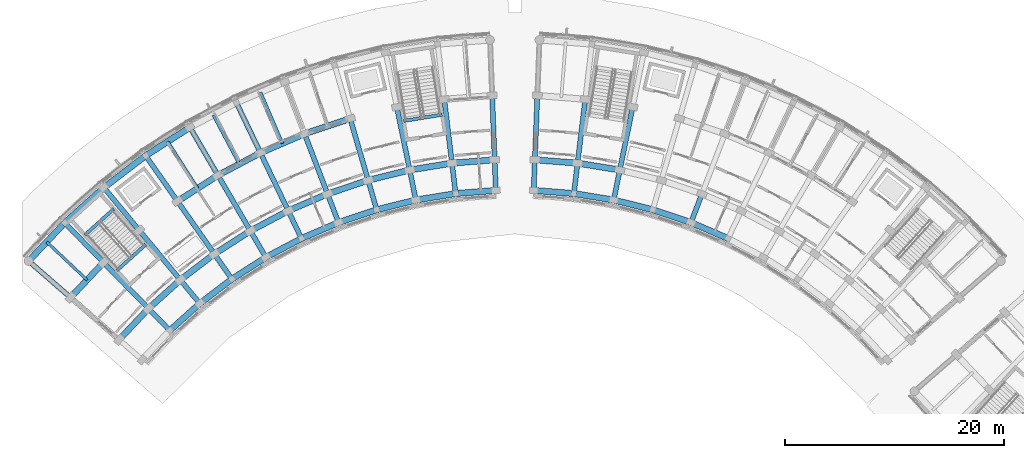
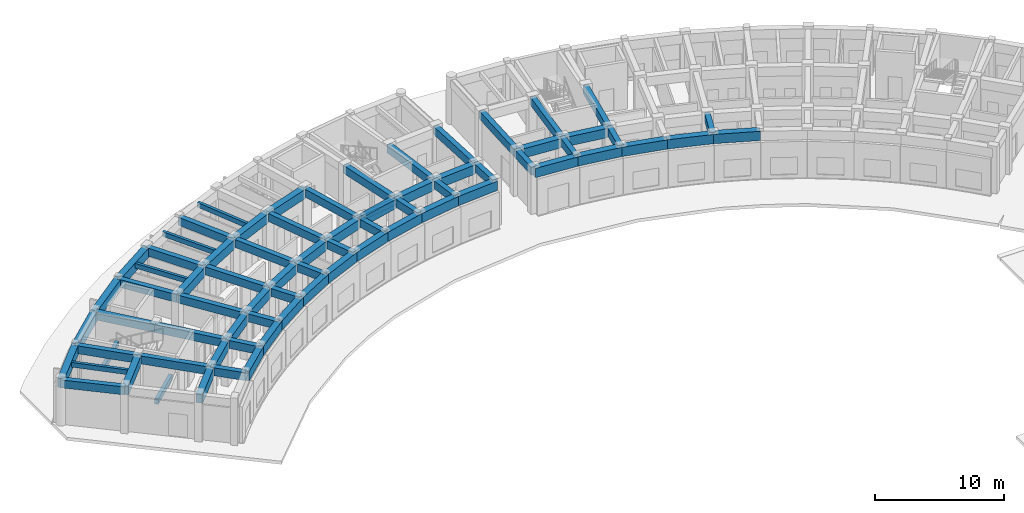
# One storey, part 16 of 61: 75 beams.
"""IFC4 building model written with IfcOpenShell, lengths in metres."""

from ifc_helpers import new_model, si_unit, direction, frame, origin, origin_2d, place, context, subcontext, project, spatial, rectangle, extrude, material, material_profile, profile_set, type_object, element, save


model = new_model("IFC4")

# Units and contexts
model_context = context("Model", 3, precision=1e-05, world=origin(), true_north=direction((0.0, 1.0)))
body_context = subcontext(model_context, "Body", "Model", "MODEL_VIEW")
ifc_project = project(units=[si_unit("LENGTHUNIT", "METRE"), si_unit("AREAUNIT", "SQUARE_METRE"), si_unit("VOLUMEUNIT", "CUBIC_METRE"), si_unit("PLANEANGLEUNIT", "RADIAN"), si_unit("MASSUNIT", "GRAM", prefix="KILO")], contexts=[model_context])

# Site, building, storey
site_placement = place(None, origin())
site = spatial("IfcSite", under=ifc_project, at=site_placement, CompositionType="ELEMENT")
building_placement = place(site_placement, origin())
building = spatial("IfcBuilding", under=site, at=building_placement, Name="Zimvara Arc Housing Community", CompositionType="ELEMENT")
storey_placement = place(building_placement, origin())
storey = spatial("IfcBuildingStorey", under=building, at=storey_placement, Name="L00", CompositionType="ELEMENT", Elevation=0.0)

# Beams
ifc_material_1 = material(Name="Concrete C40/50", Category="concrete")
ifc_material_profile_1 = material_profile(ifc_material_1, rectangle(XDim=0.25, YDim=0.449951171875, at=origin_2d()), Name="RC 250x450")
ifc_profile_set_1 = profile_set([ifc_material_profile_1], Name="Concrete C40/50")
beam_type_1 = type_object("IfcBeamType", Name="BM-RC-250x450", PredefinedType="JOIST", material=ifc_profile_set_1)
beam_1_placement = place(storey_placement, frame((5.904296875, 81.3935546875, 4.034912109375), z_axis=(-0.727299876429, 0.686319815936, 0.0), x_axis=(-0.686319815936, -0.727299876429, 0.0)))
element("IfcBeam", 1, at=beam_1_placement, inside=storey, type_object=beam_type_1, Name="bm:blkA:L00:joist:b0", PredefinedType="JOIST", context=body_context, shape_type="SweptSolid", body=[
    extrude(rectangle(XDim=0.25, YDim=0.449951171875, at=origin_2d()), origin(), (0.0, 0.0, 1.0), 5.075927734375),
])
for number, where, z_axis, x_axis, name in (
    (2, (16.0224609375, 89.776123046875, 4.034912109375), (-0.539052331508, 0.842272274206, 0.0), (-0.842272274206, -0.539052331508, 0.0), "bm:blkA:L00:joist:b3"),
    (3, (19.813232421875, 91.9892578125, 4.034912109375), (-0.46853732736, 0.883443701019, 0.0), (-0.883443701019, -0.46853732736, 0.0), "bm:blkA:L00:joist:b4"),
):
    element("IfcBeam", number, at=place(storey_placement, frame(where, z_axis=z_axis, x_axis=x_axis)), inside=storey, type_object=beam_type_1, Name=name, PredefinedType="JOIST", context=body_context, shape_type="SweptSolid", body=[
        extrude(rectangle(XDim=0.25, YDim=0.449951171875, at=origin_2d()), origin(), (0.0, 0.0, 1.0), 5.07568359375),
    ])
beam_2_placement = place(storey_placement, frame((23.77197265625, 93.885986328125, 4.034912109375), z_axis=(-0.394929109608, 0.918711596958, 0.0), x_axis=(-0.918711596958, -0.394929109608, 0.0)))
element("IfcBeam", 4, at=beam_2_placement, inside=storey, type_object=beam_type_1, Name="bm:blkA:L00:joist:b5", PredefinedType="JOIST", context=body_context, shape_type="SweptSolid", body=[
    extrude(rectangle(XDim=0.25, YDim=0.449951171875, at=origin_2d()), origin(), (0.0, 0.0, 1.0), 5.075927734375),
])
ifc_material_2 = material(Name="Concrete C40/50", Category="concrete")
ifc_material_profile_2 = material_profile(ifc_material_2, rectangle(XDim=0.300048828125, YDim=0.5, at=origin_2d()), Name="RC 300x500")
ifc_profile_set_2 = profile_set([ifc_material_profile_2], Name="Concrete C40/50")
beam_type_2 = type_object("IfcBeamType", Name="BM-RC-300x500", PredefinedType="BEAM", material=ifc_profile_set_2)
for number, where, z_axis, x_axis, name in (
    (5, (11.278076171875, 84.64697265625, -0.25), (-0.743362151162, -0.668889162881, 0.0), (0.668889162881, -0.743362151162, 0.0), "bm:stair_trim:ST-A1:L00:near"),
    (6, (8.3564453125, 87.89404296875, 2.0), (-0.743362151162, -0.668889162881, 0.0), (0.668889162881, -0.743362151162, 0.0), "bm:stair_trim:ST-A1:L00:mid"),
    (7, (38.3662109375, 96.509033203125, -0.25), (-0.987080057935, -0.160227835371, 0.0), (0.160227835371, -0.987080057935, 0.0), "bm:stair_trim:ST-A2:L00:near"),
):
    element("IfcBeam", number, at=place(storey_placement, frame(where, z_axis=z_axis, x_axis=x_axis)), inside=storey, type_object=beam_type_2, Name=name, PredefinedType="BEAM", context=body_context, shape_type="SweptSolid", body=[
        extrude(rectangle(XDim=0.300048828125, YDim=0.5, at=origin_2d()), origin(), (0.0, 0.0, 1.0), 3.570068359375),
    ])
ifc_material_3 = material(Name="Concrete C40/50", Category="concrete")
ifc_material_profile_3 = material_profile(ifc_material_3, rectangle(XDim=0.449951171875, YDim=0.75, at=origin_2d()), Name="RC 450x750")
ifc_profile_set_3 = profile_set([ifc_material_profile_3], Name="Concrete C40/50")
beam_type_3 = type_object("IfcBeamType", Name="BM-RC-450x750", PredefinedType="BEAM", material=ifc_profile_set_3)
beam_3_placement = place(storey_placement, frame((4.396728515625, 79.7958984375, 3.885009765625), z_axis=(-0.754716217499, 0.656051393599, 0.0), x_axis=(-0.656051393599, -0.754716217499, 0.0)))
element("IfcBeam", 8, at=beam_3_placement, inside=storey, type_object=beam_type_3, Name="bm:blkA:L00:rad:b0:r23", PredefinedType="BEAM", context=body_context, shape_type="SweptSolid", body=[
    extrude(rectangle(XDim=0.449951171875, YDim=0.75, at=origin_2d()), origin(), (0.0, 0.0, 1.0), 5.080078125),
])
beam_4_placement = place(storey_placement, frame((13.476318359375, 76.781005859375, 3.885009765625), z_axis=(-0.698643013894, 0.71547043205, 0.0), x_axis=(-0.71547043205, -0.698643013894, 0.0)))
element("IfcBeam", 9, at=beam_4_placement, inside=storey, type_object=beam_type_3, Name="bm:blkA:L00:rad:b1:r01", PredefinedType="BEAM", context=body_context, shape_type="SweptSolid", body=[
    extrude(rectangle(XDim=0.449951171875, YDim=0.75, at=origin_2d()), origin(), (0.0, 0.0, 1.0), 2.800048828125),
])
beam_5_placement = place(storey_placement, frame((11.52001953125, 78.784423828125, 3.885009765625), z_axis=(-0.698669844288, 0.715444231707, 0.0), x_axis=(-0.715444231707, -0.698669844288, 0.0)))
element("IfcBeam", 10, at=beam_5_placement, inside=storey, type_object=beam_type_3, Name="bm:blkA:L00:rad:b1:r12", PredefinedType="BEAM", context=body_context, shape_type="SweptSolid", body=[
    extrude(rectangle(XDim=0.449951171875, YDim=0.75, at=origin_2d()), origin(), (0.0, 0.0, 1.0), 5.8798828125),
])
beam_6_placement = place(storey_placement, frame((7.411865234375, 82.9912109375, 3.885009765625), z_axis=(-0.698670885014, 0.71544321538, 0.0), x_axis=(-0.71544321538, -0.698670885014, 0.0)))
element("IfcBeam", 11, at=beam_6_placement, inside=storey, type_object=beam_type_3, Name="bm:blkA:L00:rad:b1:r23", PredefinedType="BEAM", context=body_context, shape_type="SweptSolid", body=[
    extrude(rectangle(XDim=0.449951171875, YDim=0.75, at=origin_2d()), origin(), (0.0, 0.0, 1.0), 5.080078125),
])
beam_7_placement = place(storey_placement, frame((16.215087890625, 79.245361328125, 3.885009765625), z_axis=(-0.637917412223, 0.770104781951, 0.0), x_axis=(-0.770104781951, -0.637917412223, 0.0)))
element("IfcBeam", 12, at=beam_7_placement, inside=storey, type_object=beam_type_3, Name="bm:blkA:L00:rad:b2:r01", PredefinedType="BEAM", context=body_context, shape_type="SweptSolid", body=[
    extrude(rectangle(XDim=0.449951171875, YDim=0.75, at=origin_2d()), origin(), (0.0, 0.0, 1.0), 2.800048828125),
])
beam_8_placement = place(storey_placement, frame((14.428955078125, 81.401611328125, 3.885009765625), z_axis=(-0.637955964415, 0.770072845559, 0.0), x_axis=(-0.770072845559, -0.637955964415, 0.0)))
element("IfcBeam", 13, at=beam_8_placement, inside=storey, type_object=beam_type_3, Name="bm:blkA:L00:rad:b2:r12", PredefinedType="BEAM", context=body_context, shape_type="SweptSolid", body=[
    extrude(rectangle(XDim=0.449951171875, YDim=0.75, at=origin_2d()), origin(), (0.0, 0.0, 1.0), 5.880126953125),
])
beam_9_placement = place(storey_placement, frame((10.677734375, 85.9296875, 3.885009765625), z_axis=(-0.637983669165, 0.77004989311, 0.0), x_axis=(-0.77004989311, -0.637983669165, 0.0)))
element("IfcBeam", 14, at=beam_9_placement, inside=storey, type_object=beam_type_3, Name="bm:blkA:L00:rad:b2:r23", PredefinedType="BEAM", context=body_context, shape_type="SweptSolid", body=[
    extrude(rectangle(XDim=0.449951171875, YDim=0.75, at=origin_2d()), origin(), (0.0, 0.0, 1.0), 5.080078125),
])
beam_10_placement = place(storey_placement, frame((19.14599609375, 81.478271484375, 3.885009765625), z_axis=(-0.57297651105, 0.819571789281, 0.0), x_axis=(-0.819571789281, -0.57297651105, 0.0)))
element("IfcBeam", 15, at=beam_10_placement, inside=storey, type_object=beam_type_3, Name="bm:blkA:L00:rad:b3:r01", PredefinedType="BEAM", context=body_context, shape_type="SweptSolid", body=[
    extrude(rectangle(XDim=0.449951171875, YDim=0.75, at=origin_2d()), origin(), (0.0, 0.0, 1.0), 2.7998046875),
])
beam_11_placement = place(storey_placement, frame((17.541748046875, 83.77294921875, 3.885009765625), z_axis=(-0.573027549978, 0.819536104736, 0.0), x_axis=(-0.819536104736, -0.573027549978, 0.0)))
element("IfcBeam", 16, at=beam_11_placement, inside=storey, type_object=beam_type_3, Name="bm:blkA:L00:rad:b3:r12", PredefinedType="BEAM", context=body_context, shape_type="SweptSolid", body=[
    extrude(rectangle(XDim=0.449951171875, YDim=0.75, at=origin_2d()), origin(), (0.0, 0.0, 1.0), 5.8798828125),
])
beam_12_placement = place(storey_placement, frame((14.17236328125, 88.591796875, 3.885009765625), z_axis=(-0.573007469479, 0.819550144848, 0.0), x_axis=(-0.819550144848, -0.573007469479, 0.0)))
element("IfcBeam", 17, at=beam_12_placement, inside=storey, type_object=beam_type_3, Name="bm:blkA:L00:rad:b3:r23", PredefinedType="BEAM", context=body_context, shape_type="SweptSolid", body=[
    extrude(rectangle(XDim=0.449951171875, YDim=0.75, at=origin_2d()), origin(), (0.0, 0.0, 1.0), 5.080078125),
])
beam_13_placement = place(storey_placement, frame((22.249267578125, 83.46435546875, 3.885009765625), z_axis=(-0.504239631668, 0.86356377521, 0.0), x_axis=(-0.86356377521, -0.504239631668, 0.0)))
element("IfcBeam", 18, at=beam_13_placement, inside=storey, type_object=beam_type_3, Name="bm:blkA:L00:rad:b4:r01", PredefinedType="BEAM", context=body_context, shape_type="SweptSolid", body=[
    extrude(rectangle(XDim=0.449951171875, YDim=0.75, at=origin_2d()), origin(), (0.0, 0.0, 1.0), 2.800048828125),
])
beam_14_placement = place(storey_placement, frame((20.83740234375, 85.88232421875, 3.885009765625), z_axis=(-0.504219494781, 0.863575532934, 0.0), x_axis=(-0.863575532934, -0.504219494781, 0.0)))
element("IfcBeam", 19, at=beam_14_placement, inside=storey, type_object=beam_type_3, Name="bm:blkA:L00:rad:b4:r12", PredefinedType="BEAM", context=body_context, shape_type="SweptSolid", body=[
    extrude(rectangle(XDim=0.449951171875, YDim=0.75, at=origin_2d()), origin(), (0.0, 0.0, 1.0), 5.880126953125),
])
beam_15_placement = place(storey_placement, frame((17.87255859375, 90.960205078125, 3.885009765625), z_axis=(-0.504196701544, 0.863588840915, 0.0), x_axis=(-0.863588840915, -0.504196701544, 0.0)))
element("IfcBeam", 20, at=beam_15_placement, inside=storey, type_object=beam_type_3, Name="bm:blkA:L00:rad:b4:r23", PredefinedType="BEAM", context=body_context, shape_type="SweptSolid", body=[
    extrude(rectangle(XDim=0.449951171875, YDim=0.75, at=origin_2d()), origin(), (0.0, 0.0, 1.0), 5.079833984375),
])
beam_16_placement = place(storey_placement, frame((25.50439453125, 85.190673828125, 3.885009765625), z_axis=(-0.432118703138, 0.901816736593, 0.0), x_axis=(-0.901816736593, -0.432118703138, 0.0)))
element("IfcBeam", 21, at=beam_16_placement, inside=storey, type_object=beam_type_3, Name="bm:blkA:L00:rad:b5:r01", PredefinedType="BEAM", context=body_context, shape_type="SweptSolid", body=[
    extrude(rectangle(XDim=0.449951171875, YDim=0.75, at=origin_2d()), origin(), (0.0, 0.0, 1.0), 2.800048828125),
])
beam_17_placement = place(storey_placement, frame((24.29443359375, 87.7158203125, 3.885009765625), z_axis=(-0.432069527705, 0.901840298073, 0.0), x_axis=(-0.901840298073, -0.432069527705, 0.0)))
element("IfcBeam", 22, at=beam_17_placement, inside=storey, type_object=beam_type_3, Name="bm:blkA:L00:rad:b5:r12", PredefinedType="BEAM", context=body_context, shape_type="SweptSolid", body=[
    extrude(rectangle(XDim=0.449951171875, YDim=0.75, at=origin_2d()), origin(), (0.0, 0.0, 1.0), 5.8798828125),
])
beam_18_placement = place(storey_placement, frame((21.75390625, 93.0185546875, 3.885009765625), z_axis=(-0.432098194978, 0.901826563091, 0.0), x_axis=(-0.901826563091, -0.432098194978, 0.0)))
element("IfcBeam", 23, at=beam_18_placement, inside=storey, type_object=beam_type_3, Name="bm:blkA:L00:rad:b5:r23", PredefinedType="BEAM", context=body_context, shape_type="SweptSolid", body=[
    extrude(rectangle(XDim=0.449951171875, YDim=0.75, at=origin_2d()), origin(), (0.0, 0.0, 1.0), 5.080078125),
])
beam_19_placement = place(storey_placement, frame((28.88916015625, 86.645751953125, 3.885009765625), z_axis=(-0.357079289134, 0.934074076972, 0.0), x_axis=(-0.934074076972, -0.357079289134, 0.0)))
element("IfcBeam", 24, at=beam_19_placement, inside=storey, type_object=beam_type_3, Name="bm:blkA:L00:rad:b6:r01", PredefinedType="BEAM", context=body_context, shape_type="SweptSolid", body=[
    extrude(rectangle(XDim=0.449951171875, YDim=0.75, at=origin_2d()), origin(), (0.0, 0.0, 1.0), 2.7998046875),
])
beam_20_placement = place(storey_placement, frame((27.889404296875, 89.260986328125, 3.885009765625), z_axis=(-0.357036247742, 0.934090529766, 0.0), x_axis=(-0.934090529766, -0.357036247742, 0.0)))
element("IfcBeam", 25, at=beam_20_placement, inside=storey, type_object=beam_type_3, Name="bm:blkA:L00:rad:b6:r12", PredefinedType="BEAM", context=body_context, shape_type="SweptSolid", body=[
    extrude(rectangle(XDim=0.449951171875, YDim=0.75, at=origin_2d()), origin(), (0.0, 0.0, 1.0), 5.8798828125),
])
beam_21_placement = place(storey_placement, frame((32.381591796875, 87.819580078125, 3.885009765625), z_axis=(-0.279635015525, 0.960106378529, 0.0), x_axis=(-0.960106378529, -0.279635015525, 0.0)))
element("IfcBeam", 26, at=beam_21_placement, inside=storey, type_object=beam_type_3, Name="bm:blkA:L00:rad:b7:r01", PredefinedType="BEAM", context=body_context, shape_type="SweptSolid", body=[
    extrude(rectangle(XDim=0.449951171875, YDim=0.75, at=origin_2d()), origin(), (0.0, 0.0, 1.0), 2.800048828125),
])
beam_22_placement = place(storey_placement, frame((31.5986328125, 90.5078125, 3.885009765625), z_axis=(-0.27967473749, 0.960094808449, 0.0), x_axis=(-0.960094808449, -0.27967473749, 0.0)))
element("IfcBeam", 27, at=beam_22_placement, inside=storey, type_object=beam_type_3, Name="bm:blkA:L00:rad:b7:r12", PredefinedType="BEAM", context=body_context, shape_type="SweptSolid", body=[
    extrude(rectangle(XDim=0.449951171875, YDim=0.75, at=origin_2d()), origin(), (0.0, 0.0, 1.0), 5.880126953125),
])
beam_23_placement = place(storey_placement, frame((35.958251953125, 88.704833984375, 3.885009765625), z_axis=(-0.20037341071, 0.979719600845, 0.0), x_axis=(-0.979719600845, -0.20037341071, 0.0)))
element("IfcBeam", 28, at=beam_23_placement, inside=storey, type_object=beam_type_3, Name="bm:blkA:L00:rad:b8:r01", PredefinedType="BEAM", context=body_context, shape_type="SweptSolid", body=[
    extrude(rectangle(XDim=0.449951171875, YDim=0.75, at=origin_2d()), origin(), (0.0, 0.0, 1.0), 2.800048828125),
])
beam_24_placement = place(storey_placement, frame((35.397216796875, 91.447998046875, 3.885009765625), z_axis=(-0.200417973989, 0.979710485655, 0.0), x_axis=(-0.979710485655, -0.200417973989, 0.0)))
element("IfcBeam", 29, at=beam_24_placement, inside=storey, type_object=beam_type_3, Name="bm:blkA:L00:rad:b8:r12", PredefinedType="BEAM", context=body_context, shape_type="SweptSolid", body=[
    extrude(rectangle(XDim=0.449951171875, YDim=0.75, at=origin_2d()), origin(), (0.0, 0.0, 1.0), 5.880126953125),
])
beam_25_placement = place(storey_placement, frame((39.594970703125, 89.295166015625, 3.885009765625), z_axis=(-0.119719398078, 0.992807768767, 0.0), x_axis=(-0.992807768767, -0.119719398078, 0.0)))
element("IfcBeam", 30, at=beam_25_placement, inside=storey, type_object=beam_type_3, Name="bm:blkA:L00:rad:b9:r01", PredefinedType="BEAM", context=body_context, shape_type="SweptSolid", body=[
    extrude(rectangle(XDim=0.449951171875, YDim=0.75, at=origin_2d()), origin(), (0.0, 0.0, 1.0), 2.7998046875),
])
beam_26_placement = place(storey_placement, frame((39.259765625, 92.074951171875, 3.885009765625), z_axis=(-0.119827921695, 0.992794676246, 0.0), x_axis=(-0.992794676246, -0.119827921695, 0.0)))
element("IfcBeam", 31, at=beam_26_placement, inside=storey, type_object=beam_type_3, Name="bm:blkA:L00:rad:b9:r12", PredefinedType="BEAM", context=body_context, shape_type="SweptSolid", body=[
    extrude(rectangle(XDim=0.449951171875, YDim=0.75, at=origin_2d()), origin(), (0.0, 0.0, 1.0), 5.880126953125),
])
beam_27_placement = place(storey_placement, frame((43.267822265625, 89.586669921875, 3.885009765625), z_axis=(-0.038362804793, 0.999263876665, 0.0), x_axis=(-0.999263876665, -0.038362804793, 0.0)))
element("IfcBeam", 32, at=beam_27_placement, inside=storey, type_object=beam_type_3, Name="bm:blkA:L00:rad:b10:r01", PredefinedType="BEAM", context=body_context, shape_type="SweptSolid", body=[
    extrude(rectangle(XDim=0.449951171875, YDim=0.75, at=origin_2d()), origin(), (0.0, 0.0, 1.0), 2.800048828125),
])
beam_28_placement = place(storey_placement, frame((43.160400390625, 92.384765625, 3.885009765625), z_axis=(-0.038366147405, 0.999263748333, 0.0), x_axis=(-0.999263748333, -0.038366147405, 0.0)))
element("IfcBeam", 33, at=beam_28_placement, inside=storey, type_object=beam_type_3, Name="bm:blkA:L00:rad:b10:r12", PredefinedType="BEAM", context=body_context, shape_type="SweptSolid", body=[
    extrude(rectangle(XDim=0.449951171875, YDim=0.75, at=origin_2d()), origin(), (0.0, 0.0, 1.0), 5.8798828125),
])
beam_29_placement = place(storey_placement, frame((46.732177734375, 89.586669921875, 3.885009765625), z_axis=(0.038362804793, 0.999263876665, 0.0), x_axis=(-0.999263876665, 0.038362804793, 0.0)))
element("IfcBeam", 34, at=beam_29_placement, inside=storey, type_object=beam_type_3, Name="bm:blkB:L00:rad:b0:r01", PredefinedType="BEAM", context=body_context, shape_type="SweptSolid", body=[
    extrude(rectangle(XDim=0.449951171875, YDim=0.75, at=origin_2d()), origin(), (0.0, 0.0, 1.0), 2.800048828125),
])
beam_30_placement = place(storey_placement, frame((46.839599609375, 92.384765625, 3.885009765625), z_axis=(0.038366147405, 0.999263748333, 0.0), x_axis=(-0.999263748333, 0.038366147405, 0.0)))
element("IfcBeam", 35, at=beam_30_placement, inside=storey, type_object=beam_type_3, Name="bm:blkB:L00:rad:b0:r12", PredefinedType="BEAM", context=body_context, shape_type="SweptSolid", body=[
    extrude(rectangle(XDim=0.449951171875, YDim=0.75, at=origin_2d()), origin(), (0.0, 0.0, 1.0), 5.8798828125),
])
beam_31_placement = place(storey_placement, frame((50.405029296875, 89.295166015625, 3.885009765625), z_axis=(0.119719398078, 0.992807768767, 0.0), x_axis=(-0.992807768767, 0.119719398078, 0.0)))
element("IfcBeam", 36, at=beam_31_placement, inside=storey, type_object=beam_type_3, Name="bm:blkB:L00:rad:b1:r01", PredefinedType="BEAM", context=body_context, shape_type="SweptSolid", body=[
    extrude(rectangle(XDim=0.449951171875, YDim=0.75, at=origin_2d()), origin(), (0.0, 0.0, 1.0), 2.7998046875),
])
beam_32_placement = place(storey_placement, frame((50.740234375, 92.074951171875, 3.885009765625), z_axis=(0.119827921695, 0.992794676246, 0.0), x_axis=(-0.992794676246, 0.119827921695, 0.0)))
element("IfcBeam", 37, at=beam_32_placement, inside=storey, type_object=beam_type_3, Name="bm:blkB:L00:rad:b1:r12", PredefinedType="BEAM", context=body_context, shape_type="SweptSolid", body=[
    extrude(rectangle(XDim=0.449951171875, YDim=0.75, at=origin_2d()), origin(), (0.0, 0.0, 1.0), 5.880126953125),
])
beam_33_placement = place(storey_placement, frame((54.041748046875, 88.704833984375, 3.885009765625), z_axis=(0.20037341071, 0.979719600845, 0.0), x_axis=(-0.979719600845, 0.20037341071, 0.0)))
element("IfcBeam", 38, at=beam_33_placement, inside=storey, type_object=beam_type_3, Name="bm:blkB:L00:rad:b2:r01", PredefinedType="BEAM", context=body_context, shape_type="SweptSolid", body=[
    extrude(rectangle(XDim=0.449951171875, YDim=0.75, at=origin_2d()), origin(), (0.0, 0.0, 1.0), 2.800048828125),
])
beam_34_placement = place(storey_placement, frame((54.602783203125, 91.447998046875, 3.885009765625), z_axis=(0.200417973989, 0.979710485655, 0.0), x_axis=(-0.979710485655, 0.200417973989, 0.0)))
element("IfcBeam", 39, at=beam_34_placement, inside=storey, type_object=beam_type_3, Name="bm:blkB:L00:rad:b2:r12", PredefinedType="BEAM", context=body_context, shape_type="SweptSolid", body=[
    extrude(rectangle(XDim=0.449951171875, YDim=0.75, at=origin_2d()), origin(), (0.0, 0.0, 1.0), 5.880126953125),
])
beam_35_placement = place(storey_placement, frame((61.11083984375, 86.645751953125, 3.885009765625), z_axis=(0.357079289134, 0.934074076972, 0.0), x_axis=(-0.934074076972, 0.357079289134, 0.0)))
element("IfcBeam", 40, at=beam_35_placement, inside=storey, type_object=beam_type_3, Name="bm:blkB:L00:rad:b4:r01", PredefinedType="BEAM", context=body_context, shape_type="SweptSolid", body=[
    extrude(rectangle(XDim=0.449951171875, YDim=0.75, at=origin_2d()), origin(), (0.0, 0.0, 1.0), 2.7998046875),
])
ifc_material_4 = material(Name="Concrete C40/50", Category="concrete")
ifc_material_profile_4 = material_profile(ifc_material_4, rectangle(XDim=0.56005859375, YDim=0.8798828125, at=origin_2d()), Name="RC 560x880")
ifc_profile_set_4 = profile_set([ifc_material_profile_4], Name="Concrete C40/50")
beam_type_4 = type_object("IfcBeamType", Name="BM-RC-560x880", PredefinedType="BEAM", material=ifc_profile_set_4)
beam_36_placement = place(storey_placement, frame((13.476318359375, 76.781005859375, 3.820068359375), z_axis=(0.743366631239, 0.668884183966, 0.0), x_axis=(-0.668884183966, 0.743366631239, 0.0)))
element("IfcBeam", 41, at=beam_36_placement, inside=storey, type_object=beam_type_4, Name="bm:blkA:L00:chord:r0:b1", PredefinedType="BEAM", context=body_context, shape_type="SweptSolid", body=[
    extrude(rectangle(XDim=0.56005859375, YDim=0.8798828125, at=origin_2d()), origin(), (0.0, 0.0, 1.0), 3.684326171875),
])
beam_37_placement = place(storey_placement, frame((16.215087890625, 79.245361328125, 3.820068359375), z_axis=(0.795453014049, 0.606015265847, 0.0), x_axis=(-0.606015265847, 0.795453014049, 0.0)))
element("IfcBeam", 42, at=beam_37_placement, inside=storey, type_object=beam_type_4, Name="bm:blkA:L00:chord:r0:b2", PredefinedType="BEAM", context=body_context, shape_type="SweptSolid", body=[
    extrude(rectangle(XDim=0.56005859375, YDim=0.8798828125, at=origin_2d()), origin(), (0.0, 0.0, 1.0), 3.6845703125),
])
beam_38_placement = place(storey_placement, frame((19.14599609375, 81.478271484375, 3.820068359375), z_axis=(0.842272604079, 0.539051816079, 0.0), x_axis=(-0.539051816079, 0.842272604079, 0.0)))
element("IfcBeam", 43, at=beam_38_placement, inside=storey, type_object=beam_type_4, Name="bm:blkA:L00:chord:r0:b3", PredefinedType="BEAM", context=body_context, shape_type="SweptSolid", body=[
    extrude(rectangle(XDim=0.56005859375, YDim=0.8798828125, at=origin_2d()), origin(), (0.0, 0.0, 1.0), 3.684326171875),
])
beam_39_placement = place(storey_placement, frame((22.249267578125, 83.46435546875, 3.820068359375), z_axis=(0.883449220086, 0.468526920815, 0.0), x_axis=(-0.468526920815, 0.883449220086, 0.0)))
element("IfcBeam", 44, at=beam_39_placement, inside=storey, type_object=beam_type_4, Name="bm:blkA:L00:chord:r0:b4", PredefinedType="BEAM", context=body_context, shape_type="SweptSolid", body=[
    extrude(rectangle(XDim=0.56005859375, YDim=0.8798828125, at=origin_2d()), origin(), (0.0, 0.0, 1.0), 3.6845703125),
])
for number, where, z_axis, x_axis, name in (
    (45, (25.50439453125, 85.190673828125, 3.820068359375), (0.918705736243, 0.394942742932, 0.0), (-0.394942742932, 0.918705736243, 0.0), "bm:blkA:L00:chord:r0:b5"),
    (46, (28.88916015625, 86.645751953125, 3.820068359375), (0.94789181932, 0.31859237101, 0.0), (-0.31859237101, 0.94789181932, 0.0), "bm:blkA:L00:chord:r0:b6"),
):
    element("IfcBeam", number, at=place(storey_placement, frame(where, z_axis=z_axis, x_axis=x_axis)), inside=storey, type_object=beam_type_4, Name=name, PredefinedType="BEAM", context=body_context, shape_type="SweptSolid", body=[
        extrude(rectangle(XDim=0.56005859375, YDim=0.8798828125, at=origin_2d()), origin(), (0.0, 0.0, 1.0), 3.684326171875),
    ])
beam_40_placement = place(storey_placement, frame((32.381591796875, 87.819580078125, 3.820068359375), z_axis=(0.970708886215, 0.240258731837, 0.0), x_axis=(-0.240258731837, 0.970708886215, 0.0)))
element("IfcBeam", 47, at=beam_40_placement, inside=storey, type_object=beam_type_4, Name="bm:blkA:L00:chord:r0:b7", PredefinedType="BEAM", context=body_context, shape_type="SweptSolid", body=[
    extrude(rectangle(XDim=0.56005859375, YDim=0.8798828125, at=origin_2d()), origin(), (0.0, 0.0, 1.0), 3.6845703125),
])
for number, where, z_axis, x_axis, name in (
    (48, (35.958251953125, 88.704833984375, 3.820068359375), (0.987079996944, 0.160228211104, 0.0), (-0.160228211104, 0.987079996944, 0.0), "bm:blkA:L00:chord:r0:b8"),
    (49, (39.594970703125, 89.295166015625, 3.820068359375), (0.996865226667, 0.079118391428, 0.0), (-0.079118391428, 0.996865226667, 0.0), "bm:blkA:L00:chord:r0:b9"),
):
    element("IfcBeam", number, at=place(storey_placement, frame(where, z_axis=z_axis, x_axis=x_axis)), inside=storey, type_object=beam_type_4, Name=name, PredefinedType="BEAM", context=body_context, shape_type="SweptSolid", body=[
        extrude(rectangle(XDim=0.56005859375, YDim=0.8798828125, at=origin_2d()), origin(), (0.0, 0.0, 1.0), 3.684326171875),
    ])
beam_41_placement = place(storey_placement, frame((8.834228515625, 75.938232421875, 3.820068359375), z_axis=(0.686315710793, 0.727303750243, 0.0), x_axis=(-0.727303750243, 0.686315710793, 0.0)))
element("IfcBeam", 50, at=beam_41_placement, inside=storey, type_object=beam_type_4, Name="bm:blkA:L00:chord:r1:b0", PredefinedType="BEAM", context=body_context, shape_type="SweptSolid", body=[
    extrude(rectangle(XDim=0.56005859375, YDim=0.8798828125, at=origin_2d()), origin(), (0.0, 0.0, 1.0), 3.913330078125),
])
for number, where, z_axis, x_axis, name in (
    (51, (11.52001953125, 78.784423828125, 3.820068359375), (0.743402719516, 0.668844074965, 0.0), (-0.668844074965, 0.743402719516, 0.0), "bm:blkA:L00:chord:r1:b1"),
    (52, (14.428955078125, 81.401611328125, 3.820068359375), (0.795470387579, 0.605992460749, 0.0), (-0.605992460749, 0.795470387579, 0.0), "bm:blkA:L00:chord:r1:b2"),
):
    element("IfcBeam", number, at=place(storey_placement, frame(where, z_axis=z_axis, x_axis=x_axis)), inside=storey, type_object=beam_type_4, Name=name, PredefinedType="BEAM", context=body_context, shape_type="SweptSolid", body=[
        extrude(rectangle(XDim=0.56005859375, YDim=0.8798828125, at=origin_2d()), origin(), (0.0, 0.0, 1.0), 3.9130859375),
    ])
beam_42_placement = place(storey_placement, frame((17.541748046875, 83.77294921875, 3.820068359375), z_axis=(0.842253269878, 0.539082024724, 0.0), x_axis=(-0.539082024724, 0.842253269878, 0.0)))
element("IfcBeam", 53, at=beam_42_placement, inside=storey, type_object=beam_type_4, Name="bm:blkA:L00:chord:r1:b3", PredefinedType="BEAM", context=body_context, shape_type="SweptSolid", body=[
    extrude(rectangle(XDim=0.56005859375, YDim=0.8798828125, at=origin_2d()), origin(), (0.0, 0.0, 1.0), 3.912841796875),
])
for number, where, z_axis, x_axis, name in (
    (54, (20.83740234375, 85.88232421875, 3.820068359375), (0.883438625159, 0.468546897948, 0.0), (-0.468546897948, 0.883438625159, 0.0), "bm:blkA:L00:chord:r1:b4"),
    (55, (24.29443359375, 87.7158203125, 3.820068359375), (0.91873144242, 0.394882940514, 0.0), (-0.394882940514, 0.91873144242, 0.0), "bm:blkA:L00:chord:r1:b5"),
    (56, (27.889404296875, 89.260986328125, 3.820068359375), (0.947881689069, 0.31862250945, 0.0), (-0.31862250945, 0.947881689069, 0.0), "bm:blkA:L00:chord:r1:b6"),
    (57, (31.5986328125, 90.5078125, 3.820068359375), (0.970708671682, 0.240259598602, 0.0), (-0.240259598602, 0.970708671682, 0.0), "bm:blkA:L00:chord:r1:b7"),
    (58, (35.397216796875, 91.447998046875, 3.820068359375), (0.987081487371, 0.160219029111, 0.0), (-0.160219029111, 0.987081487371, 0.0), "bm:blkA:L00:chord:r1:b8"),
):
    element("IfcBeam", number, at=place(storey_placement, frame(where, z_axis=z_axis, x_axis=x_axis)), inside=storey, type_object=beam_type_4, Name=name, PredefinedType="BEAM", context=body_context, shape_type="SweptSolid", body=[
        extrude(rectangle(XDim=0.56005859375, YDim=0.8798828125, at=origin_2d()), origin(), (0.0, 0.0, 1.0), 3.9130859375),
    ])
beam_43_placement = place(storey_placement, frame((39.259765625, 92.074951171875, 3.820068359375), z_axis=(0.99686054795, 0.079177319606, 0.0), x_axis=(-0.079177319606, 0.99686054795, 0.0)))
element("IfcBeam", 59, at=beam_43_placement, inside=storey, type_object=beam_type_4, Name="bm:blkA:L00:chord:r1:b9", PredefinedType="BEAM", context=body_context, shape_type="SweptSolid", body=[
    extrude(rectangle(XDim=0.56005859375, YDim=0.8798828125, at=origin_2d()), origin(), (0.0, 0.0, 1.0), 3.912841796875),
])
for number, where, z_axis, x_axis, name in (
    (60, (4.396728515625, 79.7958984375, 3.820068359375), (0.686303637813, 0.727315142648, 0.0), (-0.727315142648, 0.686303637813, 0.0), "bm:blkA:L00:chord:r2:b0"),
    (61, (14.17236328125, 88.591796875, 3.820068359375), (0.842242131326, 0.539099427025, 0.0), (-0.539099427025, 0.842242131326, 0.0), "bm:blkA:L00:chord:r2:b3"),
    (62, (17.87255859375, 90.960205078125, 3.820068359375), (0.883456526058, 0.468513144496, 0.0), (-0.468513144496, 0.883456526058, 0.0), "bm:blkA:L00:chord:r2:b4"),
    (63, (21.75390625, 93.0185546875, 3.820068359375), (0.918724840088, 0.394898301093, 0.0), (-0.394898301093, 0.918724840088, 0.0), "bm:blkA:L00:chord:r2:b5"),
):
    element("IfcBeam", number, at=place(storey_placement, frame(where, z_axis=z_axis, x_axis=x_axis)), inside=storey, type_object=beam_type_4, Name=name, PredefinedType="BEAM", context=body_context, shape_type="SweptSolid", body=[
        extrude(rectangle(XDim=0.56005859375, YDim=0.8798828125, at=origin_2d()), origin(), (0.0, 0.0, 1.0), 4.393310546875),
    ])
beam_44_placement = place(storey_placement, frame((25.7900390625, 94.75341796875, 3.820068359375), z_axis=(0.947868796036, 0.318660862832, 0.0), x_axis=(-0.318660862832, 0.947868796036, 0.0)))
element("IfcBeam", 64, at=beam_44_placement, inside=storey, type_object=beam_type_4, Name="bm:blkA:L00:chord:r2:b6", PredefinedType="BEAM", context=body_context, shape_type="SweptSolid", body=[
    extrude(rectangle(XDim=0.56005859375, YDim=0.8798828125, at=origin_2d()), origin(), (0.0, 0.0, 1.0), 4.39306640625),
])
beam_45_placement = place(storey_placement, frame((0.562744140625, 83.128662109375, 3.820068359375), z_axis=(0.6862954451, 0.727322873307, 0.0), x_axis=(-0.727322873307, 0.6862954451, 0.0)))
element("IfcBeam", 65, at=beam_45_placement, inside=storey, type_object=beam_type_4, Name="bm:blkA:L00:chord:r3:b0", PredefinedType="BEAM", context=body_context, shape_type="SweptSolid", body=[
    extrude(rectangle(XDim=0.56005859375, YDim=0.8798828125, at=origin_2d()), origin(), (0.0, 0.0, 1.0), 4.80810546875),
])
beam_46_placement = place(storey_placement, frame((3.862548828125, 86.625732421875, 3.820068359375), z_axis=(0.743395133402, 0.668852506637, 0.0), x_axis=(-0.668852506637, 0.743395133402, 0.0)))
element("IfcBeam", 66, at=beam_46_placement, inside=storey, type_object=beam_type_4, Name="bm:blkA:L00:chord:r3:b1", PredefinedType="BEAM", context=body_context, shape_type="SweptSolid", body=[
    extrude(rectangle(XDim=0.56005859375, YDim=0.8798828125, at=origin_2d()), origin(), (0.0, 0.0, 1.0), 4.807861328125),
])
beam_47_placement = place(storey_placement, frame((7.436767578125, 89.841552734375, 3.820068359375), z_axis=(0.795480673672, 0.605978958228, 0.0), x_axis=(-0.605978958228, 0.795480673672, 0.0)))
element("IfcBeam", 67, at=beam_47_placement, inside=storey, type_object=beam_type_4, Name="bm:blkA:L00:chord:r3:b2", PredefinedType="BEAM", context=body_context, shape_type="SweptSolid", body=[
    extrude(rectangle(XDim=0.56005859375, YDim=0.8798828125, at=origin_2d()), origin(), (0.0, 0.0, 1.0), 4.80810546875),
])
beam_48_placement = place(storey_placement, frame((11.261474609375, 92.755126953125, 3.820068359375), z_axis=(0.842255724028, 0.539078190379, 0.0), x_axis=(-0.539078190379, 0.842255724028, 0.0)))
element("IfcBeam", 68, at=beam_48_placement, inside=storey, type_object=beam_type_4, Name="bm:blkA:L00:chord:r3:b3", PredefinedType="BEAM", context=body_context, shape_type="SweptSolid", body=[
    extrude(rectangle(XDim=0.56005859375, YDim=0.8798828125, at=origin_2d()), origin(), (0.0, 0.0, 1.0), 4.808349609375),
])
for number, where, z_axis, x_axis, name in (
    (69, (46.732177734375, 89.586669921875, 3.820068359375), (0.996865226667, -0.079118391428, 0.0), (0.079118391428, 0.996865226667, 0.0), "bm:blkB:L00:chord:r0:b0"),
    (70, (50.405029296875, 89.295166015625, 3.820068359375), (0.987079996944, -0.160228211104, 0.0), (0.160228211104, 0.987079996944, 0.0), "bm:blkB:L00:chord:r0:b1"),
):
    element("IfcBeam", number, at=place(storey_placement, frame(where, z_axis=z_axis, x_axis=x_axis)), inside=storey, type_object=beam_type_4, Name=name, PredefinedType="BEAM", context=body_context, shape_type="SweptSolid", body=[
        extrude(rectangle(XDim=0.56005859375, YDim=0.8798828125, at=origin_2d()), origin(), (0.0, 0.0, 1.0), 3.684326171875),
    ])
beam_49_placement = place(storey_placement, frame((54.041748046875, 88.704833984375, 3.820068359375), z_axis=(0.970708886215, -0.240258731837, 0.0), x_axis=(0.240258731837, 0.970708886215, 0.0)))
element("IfcBeam", 71, at=beam_49_placement, inside=storey, type_object=beam_type_4, Name="bm:blkB:L00:chord:r0:b2", PredefinedType="BEAM", context=body_context, shape_type="SweptSolid", body=[
    extrude(rectangle(XDim=0.56005859375, YDim=0.8798828125, at=origin_2d()), origin(), (0.0, 0.0, 1.0), 3.6845703125),
])
for number, where, z_axis, x_axis, name in (
    (72, (57.618408203125, 87.819580078125, 3.820068359375), (0.94789181932, -0.31859237101, 0.0), (0.31859237101, 0.94789181932, 0.0), "bm:blkB:L00:chord:r0:b3"),
    (73, (61.11083984375, 86.645751953125, 3.820068359375), (0.918705736243, -0.394942742932, 0.0), (0.394942742932, 0.918705736243, 0.0), "bm:blkB:L00:chord:r0:b4"),
):
    element("IfcBeam", number, at=place(storey_placement, frame(where, z_axis=z_axis, x_axis=x_axis)), inside=storey, type_object=beam_type_4, Name=name, PredefinedType="BEAM", context=body_context, shape_type="SweptSolid", body=[
        extrude(rectangle(XDim=0.56005859375, YDim=0.8798828125, at=origin_2d()), origin(), (0.0, 0.0, 1.0), 3.684326171875),
    ])
beam_50_placement = place(storey_placement, frame((46.839599609375, 92.384765625, 3.820068359375), z_axis=(0.99686054795, -0.079177319606, 0.0), x_axis=(0.079177319606, 0.99686054795, 0.0)))
element("IfcBeam", 74, at=beam_50_placement, inside=storey, type_object=beam_type_4, Name="bm:blkB:L00:chord:r1:b0", PredefinedType="BEAM", context=body_context, shape_type="SweptSolid", body=[
    extrude(rectangle(XDim=0.56005859375, YDim=0.8798828125, at=origin_2d()), origin(), (0.0, 0.0, 1.0), 3.912841796875),
])
beam_51_placement = place(storey_placement, frame((50.740234375, 92.074951171875, 3.820068359375), z_axis=(0.987081487371, -0.160219029111, 0.0), x_axis=(0.160219029111, 0.987081487371, 0.0)))
element("IfcBeam", 75, at=beam_51_placement, inside=storey, type_object=beam_type_4, Name="bm:blkB:L00:chord:r1:b1", PredefinedType="BEAM", context=body_context, shape_type="SweptSolid", body=[
    extrude(rectangle(XDim=0.56005859375, YDim=0.8798828125, at=origin_2d()), origin(), (0.0, 0.0, 1.0), 3.9130859375),
])

save(model, "model.ifc")
